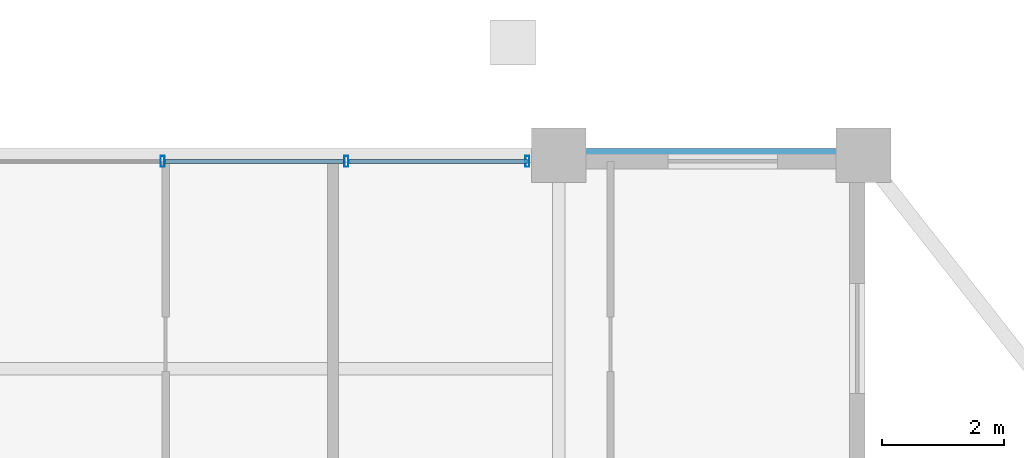
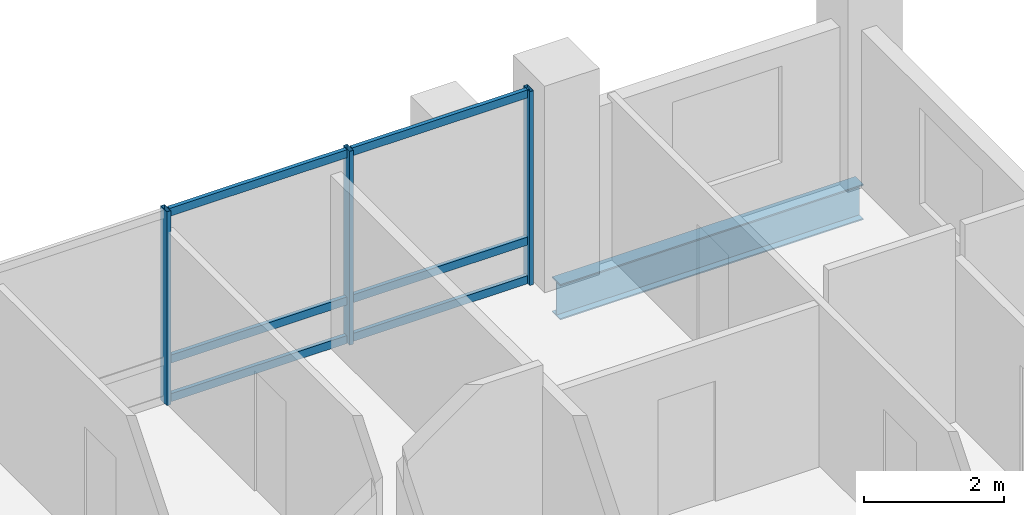
# One storey, part 14 of 21: 9 members, 1 beam, 1 element without a shape of its own.
"""IFC4 building model written with IfcOpenShell, lengths in metres."""

from ifc_helpers import new_model, si_unit, direction, frame, origin, origin_2d, place, context, subcontext, project, spatial, hollow_rectangle, i_section, extrude, material, layer, layer_set, material_profile, profile_set, type_object, element, aggregate, save


model = new_model("IFC4")

# Units and contexts
model_context = context("Model", 3, precision=1e-05, world=origin(), true_north=direction((0.0, 1.0)))
body_context = subcontext(model_context, "Body", "Model", "MODEL_VIEW")
ifc_project = project(units=[si_unit("LENGTHUNIT", "METRE"), si_unit("AREAUNIT", "SQUARE_METRE"), si_unit("VOLUMEUNIT", "CUBIC_METRE"), si_unit("PLANEANGLEUNIT", "RADIAN"), si_unit("MASSUNIT", "GRAM", prefix="KILO")], contexts=[model_context])

# Site, building, storey
site_placement = place(None, origin())
site = spatial("IfcSite", under=ifc_project, at=site_placement, CompositionType="ELEMENT")
building_placement = place(site_placement, origin())
building = spatial("IfcBuilding", under=site, at=building_placement, Name="Barlavira Tower and Art Museum", CompositionType="ELEMENT")
storey_placement = place(building_placement, frame((0.0, 0.0, 233.10009765625)))
storey = spatial("IfcBuildingStorey", under=building, at=storey_placement, Name="L60", CompositionType="ELEMENT", Elevation=233.10009765625)

# Curtain wall, members
ifc_material_1 = material(Name="Low-iron coastal laminated glass", Category="glass")
ifc_layer = layer(ifc_material_1, 0.2099609375, Name="Low-iron coastal laminated glass")
ifc_layer_set = layer_set([ifc_layer], Name="Low-iron coastal laminated glass")
curtain_wall_type = type_object("IfcCurtainWallType", Name="Pale-Metal Unitised Curtain Wall Zone 4", PredefinedType="NOTDEFINED", material=ifc_layer_set)
curtain_wall_placement = place(storey_placement, origin())
curtain_wall = element("IfcCurtainWall", 1, at=curtain_wall_placement, inside=storey, type_object=curtain_wall_type, Name="L60 Curtain Wall CW4-L60-N-B2", PredefinedType="NOTDEFINED")
ifc_material_2 = material(Name="Pale anodised aluminium", Category="aluminium")
ifc_material_profile_1 = material_profile(ifc_material_2, hollow_rectangle(XDim=0.06494140625, YDim=0.179931640625, WallThickness=0.00390625, at=origin_2d()), Name="ALU-MULL 65x180x4")
ifc_profile_set_1 = profile_set([ifc_material_profile_1], Name="Pale anodised aluminium")
member_type_1 = type_object("IfcMemberType", Name="Curtain Wall Pale-Metal Mullion 65x180", PredefinedType="MULLION", material=ifc_profile_set_1)
member_1_placement = place(storey_placement, frame((5.985107421875, 19.89990234375, 0.0), z_axis=(0.0, 0.0, 1.0), x_axis=(-1.0, 0.0, 0.0)))
member_1 = element("IfcMember", 2, at=member_1_placement, type_object=member_type_1, Name="CW4-L60-N-B2 Mullion 0", PredefinedType="MULLION", context=body_context, shape_type="SweptSolid", body=[
    extrude(hollow_rectangle(XDim=0.06494140625, YDim=0.179931640625, WallThickness=0.00390625, at=origin_2d()), origin(), (0.0, 0.0, 1.0), 3.3798828125),
])
member_2_placement = place(storey_placement, frame((3.014892578125, 19.89990234375, 0.0), z_axis=(0.0, 0.0, 1.0), x_axis=(-1.0, 0.0, 0.0)))
member_2 = element("IfcMember", 3, at=member_2_placement, type_object=member_type_1, Name="CW4-L60-N-B2 Mullion 1", PredefinedType="MULLION", context=body_context, shape_type="SweptSolid", body=[
    extrude(hollow_rectangle(XDim=0.06494140625, YDim=0.179931640625, WallThickness=0.00390625, at=origin_2d()), origin(), (0.0, 0.0, 1.0), 3.3798828125),
])
member_3_placement = place(storey_placement, frame((0.0, 19.89990234375, 0.0), z_axis=(0.0, 0.0, 1.0), x_axis=(-1.0, 0.0, 0.0)))
member_3 = element("IfcMember", 4, at=member_3_placement, type_object=member_type_1, Name="CW4-L60-N-B2 Mullion 2", PredefinedType="MULLION", context=body_context, shape_type="SweptSolid", body=[
    extrude(hollow_rectangle(XDim=0.06494140625, YDim=0.179931640625, WallThickness=0.00390625, at=origin_2d()), origin(), (0.0, 0.0, 1.0), 3.3798828125),
])
ifc_material_profile_2 = material_profile(ifc_material_2, hollow_rectangle(XDim=0.06494140625, YDim=0.139892578125, WallThickness=0.00390625, at=origin_2d()), Name="ALU-TRAN 65x140x4")
ifc_profile_set_2 = profile_set([ifc_material_profile_2], Name="Pale anodised aluminium")
member_type_2 = type_object("IfcMemberType", Name="Curtain Wall Pale-Metal Transom 65x140", PredefinedType="USERDEFINED", material=ifc_profile_set_2)
member_4_placement = place(storey_placement, frame((5.985107421875, 19.89990234375, 0.06982421875), z_axis=(-1.0, 0.0, 0.0), x_axis=(0.0, -1.0, 0.0)))
member_4 = element("IfcMember", 5, at=member_4_placement, type_object=member_type_2, Name="CW4-L60-N-B2 Transom 0.1", ObjectType="TRANSOM", PredefinedType="USERDEFINED", context=body_context, shape_type="SweptSolid", body=[
    extrude(hollow_rectangle(XDim=0.06494140625, YDim=0.139892578125, WallThickness=0.00390625, at=origin_2d()), origin(), (0.0, 0.0, 1.0), 2.925048828125),
])
member_5_placement = place(storey_placement, frame((5.985107421875, 19.89990234375, 0.743896484375), z_axis=(-1.0, 0.0, 0.0), x_axis=(0.0, -1.0, 0.0)))
member_5 = element("IfcMember", 6, at=member_5_placement, type_object=member_type_2, Name="CW4-L60-N-B2 Transom 0.2", ObjectType="TRANSOM", PredefinedType="USERDEFINED", context=body_context, shape_type="SweptSolid", body=[
    extrude(hollow_rectangle(XDim=0.06494140625, YDim=0.139892578125, WallThickness=0.00390625, at=origin_2d()), origin(), (0.0, 0.0, 1.0), 2.925048828125),
])
member_6_placement = place(storey_placement, frame((5.985107421875, 19.89990234375, 3.309814453125), z_axis=(-1.0, 0.0, 0.0), x_axis=(0.0, -1.0, 0.0)))
member_6 = element("IfcMember", 7, at=member_6_placement, type_object=member_type_2, Name="CW4-L60-N-B2 Transom 0.3", ObjectType="TRANSOM", PredefinedType="USERDEFINED", context=body_context, shape_type="SweptSolid", body=[
    extrude(hollow_rectangle(XDim=0.06494140625, YDim=0.139892578125, WallThickness=0.00390625, at=origin_2d()), origin(), (0.0, 0.0, 1.0), 2.925048828125),
])
member_7_placement = place(storey_placement, frame((2.969970703125, 19.89990234375, 0.06982421875), z_axis=(-1.0, 0.0, 0.0), x_axis=(0.0, -1.0, 0.0)))
member_7 = element("IfcMember", 8, at=member_7_placement, type_object=member_type_2, Name="CW4-L60-N-B2 Transom 1.1", ObjectType="TRANSOM", PredefinedType="USERDEFINED", context=body_context, shape_type="SweptSolid", body=[
    extrude(hollow_rectangle(XDim=0.06494140625, YDim=0.139892578125, WallThickness=0.00390625, at=origin_2d()), origin(), (0.0, 0.0, 1.0), 2.925048828125),
])
member_8_placement = place(storey_placement, frame((2.969970703125, 19.89990234375, 0.743896484375), z_axis=(-1.0, 0.0, 0.0), x_axis=(0.0, -1.0, 0.0)))
member_8 = element("IfcMember", 9, at=member_8_placement, type_object=member_type_2, Name="CW4-L60-N-B2 Transom 1.2", ObjectType="TRANSOM", PredefinedType="USERDEFINED", context=body_context, shape_type="SweptSolid", body=[
    extrude(hollow_rectangle(XDim=0.06494140625, YDim=0.139892578125, WallThickness=0.00390625, at=origin_2d()), origin(), (0.0, 0.0, 1.0), 2.925048828125),
])
member_9_placement = place(storey_placement, frame((2.969970703125, 19.89990234375, 3.309814453125), z_axis=(-1.0, 0.0, 0.0), x_axis=(0.0, -1.0, 0.0)))
member_9 = element("IfcMember", 10, at=member_9_placement, type_object=member_type_2, Name="CW4-L60-N-B2 Transom 1.3", ObjectType="TRANSOM", PredefinedType="USERDEFINED", context=body_context, shape_type="SweptSolid", body=[
    extrude(hollow_rectangle(XDim=0.06494140625, YDim=0.139892578125, WallThickness=0.00390625, at=origin_2d()), origin(), (0.0, 0.0, 1.0), 2.925048828125),
])
aggregate(curtain_wall, [member_1, member_2, member_3, member_4, member_5, member_6, member_7, member_8, member_9])

# Beam
ifc_material_3 = material(Name="Steel S355", Category="steel")
ifc_material_profile_3 = material_profile(ifc_material_3, i_section(OverallWidth=0.22998046875, OverallDepth=0.616943359375, WebThickness=0.01318359375, FlangeThickness=0.022216796875, at=origin_2d()), Name="W610x140.0")
ifc_profile_set_3 = profile_set([ifc_material_profile_3], Name="Steel S355")
beam_type = type_object("IfcBeamType", Name="Upper Shaft Spandrel Edge Beam W610x140 Steel S355", PredefinedType="SPANDREL", material=ifc_profile_set_3)
beam_placement = place(storey_placement, frame((6.5, 20.0, -0.528564453125), z_axis=(1.0, 0.0, 0.0), x_axis=(0.0, 1.0, 0.0)))
element("IfcBeam", 11, at=beam_placement, inside=storey, type_object=beam_type, Name="L60 Spandrel 9", PredefinedType="SPANDREL", context=body_context, shape_type="SweptSolid", body=[
    extrude(i_section(OverallWidth=0.22998046875, OverallDepth=0.616943359375, WebThickness=0.01318359375, FlangeThickness=0.022216796875, at=origin_2d()), origin(), (0.0, 0.0, 1.0), 5.0),
])

save(model, "model.ifc")
